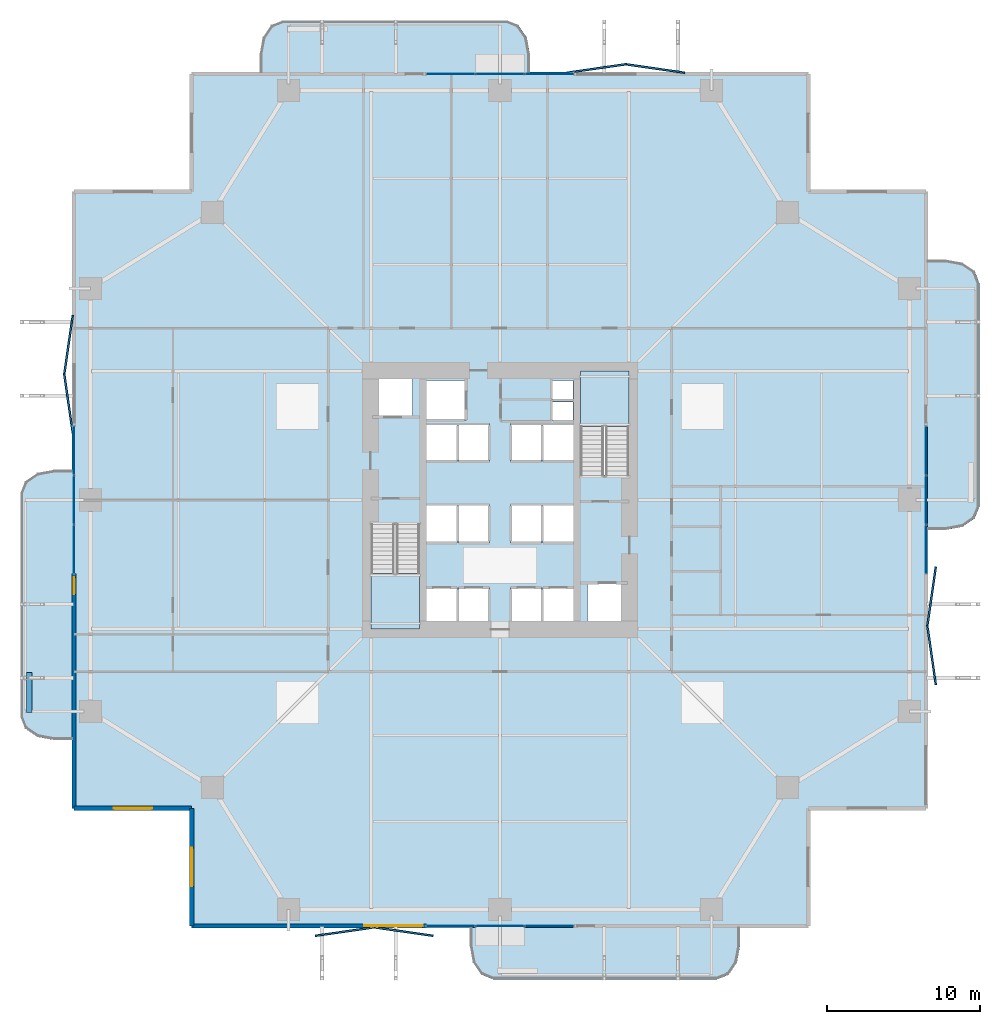
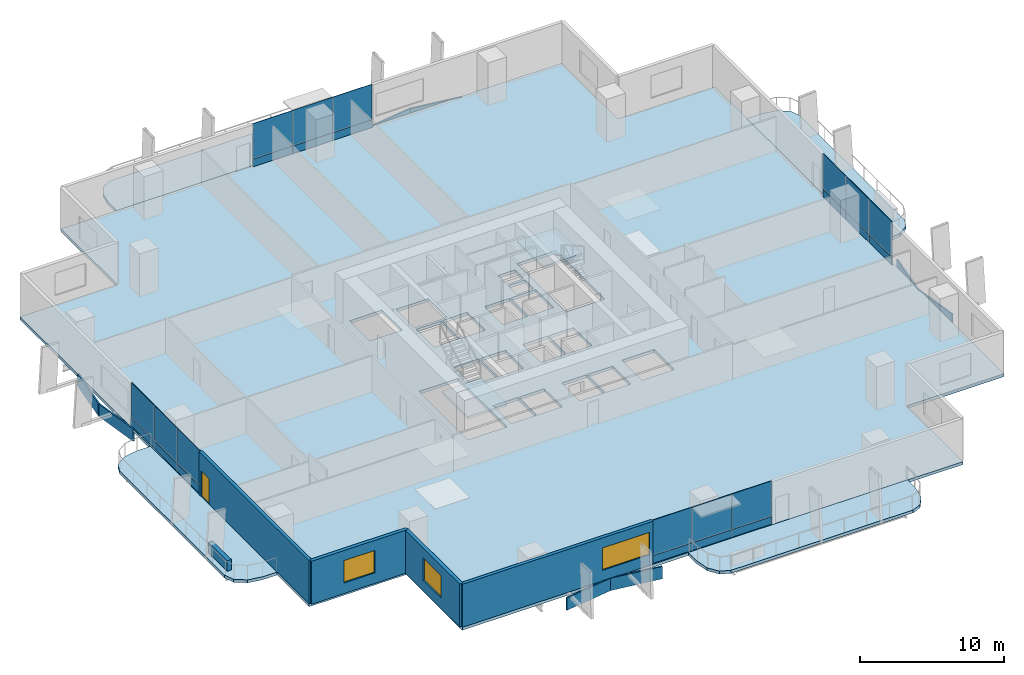
# One storey, part 16 of 24: 32 plates, 7 slabs, 5 walls, 3 windows, 1 door, 4 openings, 6 elements without a shape of their own.
"""IFC4 building model written with IfcOpenShell, lengths in metres."""

from ifc_helpers import new_model, si_unit, direction, frame, frame_2d, origin, origin_2d, place, context, subcontext, project, spatial, polyline, rectangle, outline, extrude, material, layer, layer_set, type_object, element, fill, aggregate, save


model = new_model("IFC4")

# Units and contexts
model_context = context("Model", 3, precision=1e-05, world=origin(), true_north=direction((0.0, 1.0)))
body_context = subcontext(model_context, "Body", "Model", "MODEL_VIEW")
ifc_project = project(units=[si_unit("LENGTHUNIT", "METRE"), si_unit("AREAUNIT", "SQUARE_METRE"), si_unit("VOLUMEUNIT", "CUBIC_METRE"), si_unit("PLANEANGLEUNIT", "RADIAN"), si_unit("MASSUNIT", "GRAM", prefix="KILO")], contexts=[model_context])

# Site, building, storey
site_placement = place(None, origin())
site = spatial("IfcSite", under=ifc_project, at=site_placement, CompositionType="ELEMENT")
building_placement = place(site_placement, origin())
building = spatial("IfcBuilding", under=site, at=building_placement, Name="Belovzor Exchange Tower", CompositionType="ELEMENT")
storey_placement = place(building_placement, frame((0.0, 0.0, 45.60009765625)))
storey = spatial("IfcBuildingStorey", under=building, at=storey_placement, Name="L10", CompositionType="ELEMENT", Elevation=45.60009765625)

# Slab
ifc_material_1 = material(Name="Concrete C40/50", Category="concrete")
ifc_layer_1 = layer(ifc_material_1, 0.25)
ifc_layer_set_1 = layer_set([ifc_layer_1], Name="Concrete C40/50")
slab_type_1 = type_object("IfcSlabType", Name="Composite Concrete Floor Deck Slab 250", PredefinedType="FLOOR", material=ifc_layer_set_1)
slab_1_placement = place(storey_placement, frame((0.0, 0.0, -0.25)))
element("IfcSlab", 1, at=slab_1_placement, inside=storey, type_object=slab_type_1, Name="SL-F250 Structural Slab L10", PredefinedType="FLOOR", context=body_context, shape_type="SweptSolid", body=[
    extrude(outline(polyline([(8.699951171875, 0.89990234375), (48.89990234375, 0.89990234375), (48.89990234375, 8.699951171875), (56.699951171875, 8.699951171875), (56.699951171875, 48.89990234375), (48.89990234375, 48.89990234375), (48.89990234375, 56.699951171875), (8.699951171875, 56.699951171875), (8.699951171875, 48.89990234375), (0.89990234375, 48.89990234375), (0.89990234375, 8.699951171875), (8.699951171875, 8.699951171875), (8.699951171875, 0.89990234375)]), holes=[polyline([(20.39990234375, 27.175048828125), (20.39990234375, 20.39990234375), (23.550048828125, 20.39990234375), (23.550048828125, 27.175048828125), (20.39990234375, 27.175048828125)]), polyline([(37.199951171875, 30.425048828125), (37.199951171875, 37.199951171875), (34.050048828125, 37.199951171875), (34.050048828125, 30.425048828125), (37.199951171875, 30.425048828125)]), polyline([(20.5, 34.199951171875), (23.10009765625, 34.199951171875), (23.10009765625, 37.0), (20.5, 37.0), (20.5, 34.199951171875)]), polyline([(34.5, 20.60009765625), (37.10009765625, 20.60009765625), (37.10009765625, 23.39990234375), (34.5, 23.39990234375), (34.5, 20.60009765625)]), polyline([(24.0, 34.0), (26.60009765625, 34.0), (26.60009765625, 36.60009765625), (24.0, 36.60009765625), (24.0, 34.0)]), polyline([(24.0, 20.60009765625), (26.0, 20.60009765625), (26.0, 23.10009765625), (24.0, 23.10009765625), (24.0, 20.60009765625)]), polyline([(26.10009765625, 20.60009765625), (28.10009765625, 20.60009765625), (28.10009765625, 23.10009765625), (26.10009765625, 23.10009765625), (26.10009765625, 20.60009765625)]), polyline([(29.5, 20.60009765625), (31.5, 20.60009765625), (31.5, 23.10009765625), (29.5, 23.10009765625), (29.5, 20.60009765625)]), polyline([(31.60009765625, 20.60009765625), (33.60009765625, 20.60009765625), (33.60009765625, 23.10009765625), (31.60009765625, 23.10009765625), (31.60009765625, 20.60009765625)]), polyline([(24.0, 26.0), (26.0, 26.0), (26.0, 28.5), (24.0, 28.5), (24.0, 26.0)]), polyline([(26.10009765625, 26.0), (28.10009765625, 26.0), (28.10009765625, 28.5), (26.10009765625, 28.5), (26.10009765625, 26.0)]), polyline([(29.5, 26.0), (31.5, 26.0), (31.5, 28.5), (29.5, 28.5), (29.5, 26.0)]), polyline([(31.60009765625, 26.0), (33.60009765625, 26.0), (33.60009765625, 28.5), (31.60009765625, 28.5), (31.60009765625, 26.0)]), polyline([(24.0, 31.300048828125), (26.0, 31.300048828125), (26.0, 33.800048828125), (24.0, 33.800048828125), (24.0, 31.300048828125)]), polyline([(26.10009765625, 31.300048828125), (28.10009765625, 31.300048828125), (28.10009765625, 33.800048828125), (26.10009765625, 33.800048828125), (26.10009765625, 31.300048828125)]), polyline([(29.5, 31.300048828125), (31.5, 31.300048828125), (31.5, 33.800048828125), (29.5, 33.800048828125), (29.5, 31.300048828125)]), polyline([(31.60009765625, 31.300048828125), (33.60009765625, 31.300048828125), (33.60009765625, 33.800048828125), (31.60009765625, 33.800048828125), (31.60009765625, 31.300048828125)]), polyline([(32.199951171875, 34.0), (33.550048828125, 34.0), (33.550048828125, 35.199951171875), (32.199951171875, 35.199951171875), (32.199951171875, 34.0)]), polyline([(32.199951171875, 35.39990234375), (33.550048828125, 35.39990234375), (33.550048828125, 36.60009765625), (32.199951171875, 36.60009765625), (32.199951171875, 35.39990234375)])]), origin(), (0.0, 0.0, 1.0), 0.25),
])

# Plates
ifc_material_2 = material(Name="Extruded Architectural Terracotta", Category="masonry")
ifc_layer_2 = layer(ifc_material_2, 0.1201171875)
ifc_layer_set_2 = layer_set([ifc_layer_2], Name="Extruded Architectural Terracotta")
plate_type_1 = type_object("IfcPlateType", Name="Folded Zigzag Terracotta Spandrel Louvre 80", PredefinedType="USERDEFINED", material=ifc_layer_set_2)
for number, where, z_axis, x_axis, name in (
    (2, (18.699951171875, 0.6650390625, -1.03515625), (0.0, 0.0, 1.0), (0.989686419138, 0.143250800258, 0.0), "LVR-ZZ1 Zigzag Terracotta Spandrel Louvre L10 S1A"),
    (3, (22.5, 0.6650390625, -1.03515625), (0.0, 0.0, 1.0), (0.989686419138, -0.143250800258, 0.0), "LVR-ZZ1 Zigzag Terracotta Spandrel Louvre L10 S1B"),
    (4, (56.93505859375, 18.699951171875, -1.03515625), (0.0, 0.0, 1.0), (-0.143250800258, 0.989686419138, 0.0), "LVR-ZZ1 Zigzag Terracotta Spandrel Louvre L10 E1A"),
    (5, (56.93505859375, 22.5, -1.03515625), (0.0, 0.0, 1.0), (0.143250800258, 0.989686419138, 0.0), "LVR-ZZ1 Zigzag Terracotta Spandrel Louvre L10 E1B"),
    (6, (35.10009765625, 56.93505859375, -1.03515625), (0.0, 0.0, 1.0), (0.989686419138, 0.143250800258, 0.0), "LVR-ZZ1 Zigzag Terracotta Spandrel Louvre L10 N2A"),
    (7, (38.89990234375, 56.93505859375, -1.03515625), (0.0, 0.0, 1.0), (0.989686419138, -0.143250800258, 0.0), "LVR-ZZ1 Zigzag Terracotta Spandrel Louvre L10 N2B"),
    (8, (0.6650390625, 35.10009765625, -1.03515625), (0.0, 0.0, 1.0), (-0.143250800258, 0.989686419138, 0.0), "LVR-ZZ1 Zigzag Terracotta Spandrel Louvre L10 W2A"),
    (9, (0.6650390625, 38.89990234375, -1.03515625), (0.0, 0.0, 1.0), (0.143250800258, 0.989686419138, 0.0), "LVR-ZZ1 Zigzag Terracotta Spandrel Louvre L10 W2B"),
):
    element("IfcPlate", number, at=place(storey_placement, frame(where, z_axis=z_axis, x_axis=x_axis)), inside=storey, type_object=plate_type_1, Name=name, ObjectType="SPANDREL_LOUVRE", PredefinedType="USERDEFINED", context=body_context, shape_type="SweptSolid", body=[
        extrude(rectangle(XDim=3.919921875, YDim=0.1201171875, at=origin_2d()), origin(), (0.0, 0.0, 1.0), 1.050048828125),
    ])

# Curtain wall, plates
ifc_material_3 = material(Name="Anodised Aluminium Framing", Category="aluminium")
ifc_layer_3 = layer(ifc_material_3, 0.179931640625)
ifc_layer_set_3 = layer_set([ifc_layer_3], Name="Anodised Aluminium Framing")
curtain_wall_type = type_object("IfcCurtainWallType", Name="Recessed Loggia Low-Iron Triple-Glazed Curtain Wall", PredefinedType="NOTDEFINED", material=ifc_layer_set_3)
curtain_wall_1_placement = place(storey_placement, origin())
curtain_wall_1 = element("IfcCurtainWall", 10, at=curtain_wall_1_placement, inside=storey, type_object=curtain_wall_type, Name="CW3 Recessed Loggia Low-Iron Triple-Glazed Curtain Wall L10", PredefinedType="NOTDEFINED")
ifc_material_4 = material(Name="Solar-Control Triple Glazing", Category="glass")
ifc_layer_4 = layer(ifc_material_4, 0.0439453125)
ifc_layer_set_4 = layer_set([ifc_layer_4], Name="Solar-Control Triple Glazing")
plate_type_2 = type_object("IfcPlateType", Name="Insulated Solar Glazing Curtain Panel 44", PredefinedType="CURTAIN_PANEL", material=ifc_layer_set_4)
plate_1_placement = place(storey_placement, frame((32.0, 1.030029296875, 0.65185546875), z_axis=(0.0, 0.0, 1.0), x_axis=(-1.0, 0.0, 0.0)))
plate_1 = element("IfcPlate", 11, at=plate_1_placement, type_object=plate_type_2, Name="GLZ-44 Glazed Curtain Panel 1", PredefinedType="CURTAIN_PANEL", context=body_context, shape_type="SweptSolid", body=[
    extrude(rectangle(XDim=3.18408203125, YDim=0.0439453125, at=origin_2d()), origin(), (0.0, 0.0, 1.0), 2.998046875),
])
plate_2_placement = place(storey_placement, frame((28.800048828125, 1.030029296875, 0.65185546875), z_axis=(0.0, 0.0, 1.0), x_axis=(-1.0, 0.0, 0.0)))
plate_2 = element("IfcPlate", 12, at=plate_2_placement, type_object=plate_type_2, Name="GLZ-44 Glazed Curtain Panel 2", PredefinedType="CURTAIN_PANEL", context=body_context, shape_type="SweptSolid", body=[
    extrude(rectangle(XDim=3.18408203125, YDim=0.0439453125, at=origin_2d()), origin(), (0.0, 0.0, 1.0), 2.998046875),
])
plate_3_placement = place(storey_placement, frame((25.60009765625, 1.030029296875, 0.65185546875), z_axis=(0.0, 0.0, 1.0), x_axis=(-1.0, 0.0, 0.0)))
plate_3 = element("IfcPlate", 13, at=plate_3_placement, type_object=plate_type_2, Name="GLZ-44 Glazed Curtain Panel 3", PredefinedType="CURTAIN_PANEL", context=body_context, shape_type="SweptSolid", body=[
    extrude(rectangle(XDim=3.18408203125, YDim=0.0439453125, at=origin_2d()), origin(), (0.0, 0.0, 1.0), 2.998046875),
])

curtain_wall_2_placement = place(storey_placement, origin())
curtain_wall_2 = element("IfcCurtainWall", 14, at=curtain_wall_2_placement, inside=storey, type_object=curtain_wall_type, Name="CW3 Recessed Loggia Low-Iron Triple-Glazed Curtain Wall L10", PredefinedType="NOTDEFINED")
plate_4_placement = place(storey_placement, frame((25.60009765625, 56.570068359375, 0.65185546875), z_axis=(0.0, 0.0, 1.0), x_axis=(1.0, 0.0, 0.0)))
plate_4 = element("IfcPlate", 15, at=plate_4_placement, type_object=plate_type_2, Name="GLZ-44 Glazed Curtain Panel 1", PredefinedType="CURTAIN_PANEL", context=body_context, shape_type="SweptSolid", body=[
    extrude(rectangle(XDim=3.18408203125, YDim=0.0439453125, at=origin_2d()), origin(), (0.0, 0.0, 1.0), 2.998046875),
])
plate_5_placement = place(storey_placement, frame((28.800048828125, 56.570068359375, 0.65185546875), z_axis=(0.0, 0.0, 1.0), x_axis=(1.0, 0.0, 0.0)))
plate_5 = element("IfcPlate", 16, at=plate_5_placement, type_object=plate_type_2, Name="GLZ-44 Glazed Curtain Panel 2", PredefinedType="CURTAIN_PANEL", context=body_context, shape_type="SweptSolid", body=[
    extrude(rectangle(XDim=3.18408203125, YDim=0.0439453125, at=origin_2d()), origin(), (0.0, 0.0, 1.0), 2.998046875),
])
plate_6_placement = place(storey_placement, frame((32.0, 56.570068359375, 0.65185546875), z_axis=(0.0, 0.0, 1.0), x_axis=(1.0, 0.0, 0.0)))
plate_6 = element("IfcPlate", 17, at=plate_6_placement, type_object=plate_type_2, Name="GLZ-44 Glazed Curtain Panel 3", PredefinedType="CURTAIN_PANEL", context=body_context, shape_type="SweptSolid", body=[
    extrude(rectangle(XDim=3.18408203125, YDim=0.0439453125, at=origin_2d()), origin(), (0.0, 0.0, 1.0), 2.998046875),
])

curtain_wall_3_placement = place(storey_placement, origin())
curtain_wall_3 = element("IfcCurtainWall", 18, at=curtain_wall_3_placement, inside=storey, type_object=curtain_wall_type, Name="CW3 Recessed Loggia Low-Iron Triple-Glazed Curtain Wall L10", PredefinedType="NOTDEFINED")
plate_7_placement = place(storey_placement, frame((1.030029296875, 25.60009765625, 0.65185546875), z_axis=(0.0, 0.0, 1.0), x_axis=(0.0, 1.0, 0.0)))
plate_7 = element("IfcPlate", 19, at=plate_7_placement, type_object=plate_type_2, Name="GLZ-44 Glazed Curtain Panel 1", PredefinedType="CURTAIN_PANEL", context=body_context, shape_type="SweptSolid", body=[
    extrude(rectangle(XDim=3.18408203125, YDim=0.0439453125, at=origin_2d()), origin(), (0.0, 0.0, 1.0), 2.998046875),
])
plate_8_placement = place(storey_placement, frame((1.030029296875, 28.800048828125, 0.65185546875), z_axis=(0.0, 0.0, 1.0), x_axis=(0.0, 1.0, 0.0)))
plate_8 = element("IfcPlate", 20, at=plate_8_placement, type_object=plate_type_2, Name="GLZ-44 Glazed Curtain Panel 2", PredefinedType="CURTAIN_PANEL", context=body_context, shape_type="SweptSolid", body=[
    extrude(rectangle(XDim=3.18408203125, YDim=0.0439453125, at=origin_2d()), origin(), (0.0, 0.0, 1.0), 2.998046875),
])
plate_9_placement = place(storey_placement, frame((1.030029296875, 32.0, 0.65185546875), z_axis=(0.0, 0.0, 1.0), x_axis=(0.0, 1.0, 0.0)))
plate_9 = element("IfcPlate", 21, at=plate_9_placement, type_object=plate_type_2, Name="GLZ-44 Glazed Curtain Panel 3", PredefinedType="CURTAIN_PANEL", context=body_context, shape_type="SweptSolid", body=[
    extrude(rectangle(XDim=3.18408203125, YDim=0.0439453125, at=origin_2d()), origin(), (0.0, 0.0, 1.0), 2.998046875),
])

curtain_wall_4_placement = place(storey_placement, origin())
curtain_wall_4 = element("IfcCurtainWall", 22, at=curtain_wall_4_placement, inside=storey, type_object=curtain_wall_type, Name="CW3 Recessed Loggia Low-Iron Triple-Glazed Curtain Wall L10", PredefinedType="NOTDEFINED")
plate_10_placement = place(storey_placement, frame((56.570068359375, 32.0, 0.65185546875), z_axis=(0.0, 0.0, 1.0), x_axis=(0.0, -1.0, 0.0)))
plate_10 = element("IfcPlate", 23, at=plate_10_placement, type_object=plate_type_2, Name="GLZ-44 Glazed Curtain Panel 1", PredefinedType="CURTAIN_PANEL", context=body_context, shape_type="SweptSolid", body=[
    extrude(rectangle(XDim=3.18408203125, YDim=0.0439453125, at=origin_2d()), origin(), (0.0, 0.0, 1.0), 2.998046875),
])
plate_11_placement = place(storey_placement, frame((56.570068359375, 28.800048828125, 0.65185546875), z_axis=(0.0, 0.0, 1.0), x_axis=(0.0, -1.0, 0.0)))
plate_11 = element("IfcPlate", 24, at=plate_11_placement, type_object=plate_type_2, Name="GLZ-44 Glazed Curtain Panel 2", PredefinedType="CURTAIN_PANEL", context=body_context, shape_type="SweptSolid", body=[
    extrude(rectangle(XDim=3.18408203125, YDim=0.0439453125, at=origin_2d()), origin(), (0.0, 0.0, 1.0), 2.998046875),
])
plate_12_placement = place(storey_placement, frame((56.570068359375, 25.60009765625, 0.65185546875), z_axis=(0.0, 0.0, 1.0), x_axis=(0.0, -1.0, 0.0)))
plate_12 = element("IfcPlate", 25, at=plate_12_placement, type_object=plate_type_2, Name="GLZ-44 Glazed Curtain Panel 3", PredefinedType="CURTAIN_PANEL", context=body_context, shape_type="SweptSolid", body=[
    extrude(rectangle(XDim=3.18408203125, YDim=0.0439453125, at=origin_2d()), origin(), (0.0, 0.0, 1.0), 2.998046875),
])

# Stair, slab
ifc_material_5 = material(Name="Concrete C40/50", Category="concrete")
stair_type = type_object("IfcStairType", Name="Reinforced Concrete Dogleg Escape Stair 1350", PredefinedType="HALF_TURN_STAIR", material=ifc_material_5)
stair_1_placement = place(storey_placement, origin())
stair_1 = element("IfcStair", 26, at=stair_1_placement, inside=storey, type_object=stair_type, Name="L10 ST-1", PredefinedType="HALF_TURN_STAIR")
ifc_material_6 = material(Name="Concrete C40/50", Category="concrete")
ifc_layer_5 = layer(ifc_material_6, 0.199951171875)
ifc_layer_set_5 = layer_set([ifc_layer_5], Name="Concrete C40/50")
slab_type_2 = type_object("IfcSlabType", Name="Reinforced Concrete Stair Half-Landing Slab 200", PredefinedType="LANDING", material=ifc_layer_set_5)
slab_2_placement = place(storey_placement, frame((0.0, 0.0, 1.75)))
slab_2 = element("IfcSlab", 27, at=slab_2_placement, type_object=slab_type_2, Name="ST-1 landing 1", PredefinedType="LANDING", context=body_context, shape_type="SweptSolid", body=[
    extrude(outline(polyline([(20.39990234375, 24.010009765625), (20.39990234375, 20.39990234375), (23.550048828125, 20.39990234375), (23.550048828125, 24.010009765625), (20.39990234375, 24.010009765625)])), origin(), (0.0, 0.0, 1.0), 0.199951171875),
])
aggregate(stair_1, [slab_2])

stair_2_placement = place(storey_placement, origin())
stair_2 = element("IfcStair", 28, at=stair_2_placement, inside=storey, type_object=stair_type, Name="L10 ST-2", PredefinedType="HALF_TURN_STAIR")
slab_3_placement = place(storey_placement, frame((0.0, 0.0, 1.75)))
slab_3 = element("IfcSlab", 29, at=slab_3_placement, type_object=slab_type_2, Name="ST-2 landing 1", PredefinedType="LANDING", context=body_context, shape_type="SweptSolid", body=[
    extrude(outline(polyline([(37.199951171875, 33.590087890625), (37.199951171875, 37.199951171875), (34.050048828125, 37.199951171875), (34.050048828125, 33.590087890625), (37.199951171875, 33.590087890625)])), origin(), (0.0, 0.0, 1.0), 0.199951171875),
])
aggregate(stair_2, [slab_3])

# Plate
ifc_material_7 = material(Name="Extruded Architectural Terracotta", Category="masonry")
ifc_layer_6 = layer(ifc_material_7, 0.090087890625)
ifc_layer_set_6 = layer_set([ifc_layer_6], Name="Extruded Architectural Terracotta")
plate_type_3 = type_object("IfcPlateType", Name="Terracotta Shadow-Box Spandrel Panel 90", PredefinedType="CURTAIN_PANEL", material=ifc_layer_set_6)
plate_13_placement = place(storey_placement, frame((32.0, 1.030029296875, 0.0), z_axis=(0.0, 0.0, 1.0), x_axis=(-1.0, 0.0, 0.0)))
plate_13 = element("IfcPlate", 30, at=plate_13_placement, type_object=plate_type_3, Name="SPD-90 Spandrel Panel 1", PredefinedType="CURTAIN_PANEL", context=body_context, shape_type="SweptSolid", body=[
    extrude(rectangle(XDim=3.18408203125, YDim=0.090087890625, at=origin_2d()), origin(), (0.0, 0.0, 1.0), 0.64794921875),
])

plate_14_placement = place(storey_placement, frame((28.800048828125, 1.030029296875, 0.0), z_axis=(0.0, 0.0, 1.0), x_axis=(-1.0, 0.0, 0.0)))
plate_14 = element("IfcPlate", 31, at=plate_14_placement, type_object=plate_type_3, Name="SPD-90 Spandrel Panel 2", PredefinedType="CURTAIN_PANEL", context=body_context, shape_type="SweptSolid", body=[
    extrude(rectangle(XDim=3.18408203125, YDim=0.090087890625, at=origin_2d()), origin(), (0.0, 0.0, 1.0), 0.64794921875),
])

plate_15_placement = place(storey_placement, frame((25.60009765625, 1.030029296875, 0.0), z_axis=(0.0, 0.0, 1.0), x_axis=(-1.0, 0.0, 0.0)))
plate_15 = element("IfcPlate", 32, at=plate_15_placement, type_object=plate_type_3, Name="SPD-90 Spandrel Panel 3", PredefinedType="CURTAIN_PANEL", context=body_context, shape_type="SweptSolid", body=[
    extrude(rectangle(XDim=3.18408203125, YDim=0.090087890625, at=origin_2d()), origin(), (0.0, 0.0, 1.0), 0.64794921875),
])

aggregate(curtain_wall_1, [plate_13, plate_1, plate_14, plate_2, plate_15, plate_3])

plate_16_placement = place(storey_placement, frame((25.60009765625, 56.570068359375, 0.0), z_axis=(0.0, 0.0, 1.0), x_axis=(1.0, 0.0, 0.0)))
plate_16 = element("IfcPlate", 33, at=plate_16_placement, type_object=plate_type_3, Name="SPD-90 Spandrel Panel 1", PredefinedType="CURTAIN_PANEL", context=body_context, shape_type="SweptSolid", body=[
    extrude(rectangle(XDim=3.18408203125, YDim=0.090087890625, at=origin_2d()), origin(), (0.0, 0.0, 1.0), 0.64794921875),
])

plate_17_placement = place(storey_placement, frame((28.800048828125, 56.570068359375, 0.0), z_axis=(0.0, 0.0, 1.0), x_axis=(1.0, 0.0, 0.0)))
plate_17 = element("IfcPlate", 34, at=plate_17_placement, type_object=plate_type_3, Name="SPD-90 Spandrel Panel 2", PredefinedType="CURTAIN_PANEL", context=body_context, shape_type="SweptSolid", body=[
    extrude(rectangle(XDim=3.18408203125, YDim=0.090087890625, at=origin_2d()), origin(), (0.0, 0.0, 1.0), 0.64794921875),
])

plate_18_placement = place(storey_placement, frame((32.0, 56.570068359375, 0.0), z_axis=(0.0, 0.0, 1.0), x_axis=(1.0, 0.0, 0.0)))
plate_18 = element("IfcPlate", 35, at=plate_18_placement, type_object=plate_type_3, Name="SPD-90 Spandrel Panel 3", PredefinedType="CURTAIN_PANEL", context=body_context, shape_type="SweptSolid", body=[
    extrude(rectangle(XDim=3.18408203125, YDim=0.090087890625, at=origin_2d()), origin(), (0.0, 0.0, 1.0), 0.64794921875),
])

aggregate(curtain_wall_2, [plate_16, plate_4, plate_17, plate_5, plate_18, plate_6])

plate_19_placement = place(storey_placement, frame((1.030029296875, 25.60009765625, 0.0), z_axis=(0.0, 0.0, 1.0), x_axis=(0.0, 1.0, 0.0)))
plate_19 = element("IfcPlate", 36, at=plate_19_placement, type_object=plate_type_3, Name="SPD-90 Spandrel Panel 1", PredefinedType="CURTAIN_PANEL", context=body_context, shape_type="SweptSolid", body=[
    extrude(rectangle(XDim=3.18408203125, YDim=0.090087890625, at=origin_2d()), origin(), (0.0, 0.0, 1.0), 0.64794921875),
])

plate_20_placement = place(storey_placement, frame((1.030029296875, 28.800048828125, 0.0), z_axis=(0.0, 0.0, 1.0), x_axis=(0.0, 1.0, 0.0)))
plate_20 = element("IfcPlate", 37, at=plate_20_placement, type_object=plate_type_3, Name="SPD-90 Spandrel Panel 2", PredefinedType="CURTAIN_PANEL", context=body_context, shape_type="SweptSolid", body=[
    extrude(rectangle(XDim=3.18408203125, YDim=0.090087890625, at=origin_2d()), origin(), (0.0, 0.0, 1.0), 0.64794921875),
])

plate_21_placement = place(storey_placement, frame((1.030029296875, 32.0, 0.0), z_axis=(0.0, 0.0, 1.0), x_axis=(0.0, 1.0, 0.0)))
plate_21 = element("IfcPlate", 38, at=plate_21_placement, type_object=plate_type_3, Name="SPD-90 Spandrel Panel 3", PredefinedType="CURTAIN_PANEL", context=body_context, shape_type="SweptSolid", body=[
    extrude(rectangle(XDim=3.18408203125, YDim=0.090087890625, at=origin_2d()), origin(), (0.0, 0.0, 1.0), 0.64794921875),
])

aggregate(curtain_wall_3, [plate_19, plate_7, plate_20, plate_8, plate_21, plate_9])

plate_22_placement = place(storey_placement, frame((56.570068359375, 32.0, 0.0), z_axis=(0.0, 0.0, 1.0), x_axis=(0.0, -1.0, 0.0)))
plate_22 = element("IfcPlate", 39, at=plate_22_placement, type_object=plate_type_3, Name="SPD-90 Spandrel Panel 1", PredefinedType="CURTAIN_PANEL", context=body_context, shape_type="SweptSolid", body=[
    extrude(rectangle(XDim=3.18408203125, YDim=0.090087890625, at=origin_2d()), origin(), (0.0, 0.0, 1.0), 0.64794921875),
])

plate_23_placement = place(storey_placement, frame((56.570068359375, 28.800048828125, 0.0), z_axis=(0.0, 0.0, 1.0), x_axis=(0.0, -1.0, 0.0)))
plate_23 = element("IfcPlate", 40, at=plate_23_placement, type_object=plate_type_3, Name="SPD-90 Spandrel Panel 2", PredefinedType="CURTAIN_PANEL", context=body_context, shape_type="SweptSolid", body=[
    extrude(rectangle(XDim=3.18408203125, YDim=0.090087890625, at=origin_2d()), origin(), (0.0, 0.0, 1.0), 0.64794921875),
])

plate_24_placement = place(storey_placement, frame((56.570068359375, 25.60009765625, 0.0), z_axis=(0.0, 0.0, 1.0), x_axis=(0.0, -1.0, 0.0)))
plate_24 = element("IfcPlate", 41, at=plate_24_placement, type_object=plate_type_3, Name="SPD-90 Spandrel Panel 3", PredefinedType="CURTAIN_PANEL", context=body_context, shape_type="SweptSolid", body=[
    extrude(rectangle(XDim=3.18408203125, YDim=0.090087890625, at=origin_2d()), origin(), (0.0, 0.0, 1.0), 0.64794921875),
])

aggregate(curtain_wall_4, [plate_22, plate_10, plate_23, plate_11, plate_24, plate_12])

# Slabs
ifc_material_8 = material(Name="Concrete C40/50", Category="concrete")
ifc_layer_7 = layer(ifc_material_8, 0.25)
ifc_layer_set_7 = layer_set([ifc_layer_7], Name="Concrete C40/50")
slab_type_3 = type_object("IfcSlabType", Name="Thermally Broken Planted Balcony Slab 250", PredefinedType="FLOOR", material=ifc_layer_set_7)
slab_4_placement = place(storey_placement, frame((0.0, 0.0, -0.25)))
element("IfcSlab", 42, at=slab_4_placement, inside=storey, type_object=slab_type_3, Name="SL-BAL220 Planted Balcony Loggia L10 South", PredefinedType="FLOOR", context=body_context, shape_type="SweptSolid", body=[
    extrude(outline(polyline([(26.85009765625, 0.9150390625), (26.85009765625, -0.25), (27.051025390625, -1.35009765625), (27.60009765625, -2.155029296875), (28.35009765625, -2.449951171875), (42.949951171875, -2.449951171875), (43.699951171875, -2.155029296875), (44.2490234375, -1.35009765625), (44.449951171875, -0.25), (44.449951171875, 0.9150390625), (26.85009765625, 0.9150390625)])), origin(), (0.0, 0.0, 1.0), 0.25),
])
slab_5_placement = place(storey_placement, frame((0.0, 0.0, -0.25)))
element("IfcSlab", 43, at=slab_5_placement, inside=storey, type_object=slab_type_3, Name="SL-BAL220 Planted Balcony Loggia L10 North", PredefinedType="FLOOR", context=body_context, shape_type="SweptSolid", body=[
    extrude(outline(polyline([(30.75, 56.68505859375), (30.75, 57.85009765625), (30.549072265625, 58.949951171875), (30.0, 59.7548828125), (29.25, 60.050048828125), (14.64990234375, 60.050048828125), (13.89990234375, 59.7548828125), (13.35107421875, 58.949951171875), (13.14990234375, 57.85009765625), (13.14990234375, 56.68505859375), (30.75, 56.68505859375)])), origin(), (0.0, 0.0, 1.0), 0.25),
])
slab_6_placement = place(storey_placement, frame((0.0, 0.0, -0.25)))
element("IfcSlab", 44, at=slab_6_placement, inside=storey, type_object=slab_type_3, Name="SL-BAL220 Planted Balcony Loggia L10 East", PredefinedType="FLOOR", context=body_context, shape_type="SweptSolid", body=[
    extrude(outline(polyline([(56.68505859375, 26.85009765625), (57.85009765625, 26.85009765625), (58.949951171875, 27.051025390625), (59.7548828125, 27.60009765625), (60.050048828125, 28.35009765625), (60.050048828125, 42.949951171875), (59.7548828125, 43.699951171875), (58.949951171875, 44.2490234375), (57.85009765625, 44.449951171875), (56.68505859375, 44.449951171875), (56.68505859375, 26.85009765625)])), origin(), (0.0, 0.0, 1.0), 0.25),
])
slab_7_placement = place(storey_placement, frame((0.0, 0.0, -0.25)))
element("IfcSlab", 45, at=slab_7_placement, inside=storey, type_object=slab_type_3, Name="SL-BAL220 Planted Balcony Loggia L10 West", PredefinedType="FLOOR", context=body_context, shape_type="SweptSolid", body=[
    extrude(outline(polyline([(0.9150390625, 30.75), (-0.25, 30.75), (-1.35009765625, 30.549072265625), (-2.155029296875, 30.0), (-2.449951171875, 29.25), (-2.449951171875, 14.64990234375), (-2.155029296875, 13.89990234375), (-1.35009765625, 13.35107421875), (-0.25, 13.14990234375), (0.9150390625, 13.14990234375), (0.9150390625, 30.75)])), origin(), (0.0, 0.0, 1.0), 0.25),
])

# Wall, opening, window
ifc_material_9 = material(Name="Precast concrete C40/50", Category="concrete")
ifc_layer_8 = layer(ifc_material_9, 0.280029296875)
ifc_layer_set_8 = layer_set([ifc_layer_8], Name="Precast concrete C40/50")
wall_type_1 = type_object("IfcWallType", Name="Precast Concrete Notched Corner Frame Wall 280", PredefinedType="SOLIDWALL", material=ifc_layer_set_8)
wall_1_placement = place(storey_placement, frame((8.699951171875, 1.030029296875, 0.0), z_axis=(0.0, 0.0, 1.0), x_axis=(0.0, 1.0, 0.0)))
wall_1 = element("IfcWall", 46, at=wall_1_placement, inside=storey, type_object=wall_type_1, Name="W-CRN280 Precast Concrete Notched Corner Frame Wall 280 L10", PredefinedType="SOLIDWALL", context=body_context, shape_type="SweptSolid", body=[
    extrude(rectangle(XDim=7.669921875, YDim=0.280029296875, at=frame_2d((3.8349609375, 0.0))), origin(), (0.0, 0.0, 1.0), 3.64990234375),
])
opening_1_placement = place(wall_1_placement, frame((2.5849609375, 0.0, 0.89990234375)))
opening_1 = element("IfcOpeningElement", 47, at=opening_1_placement, cuts=wall_1, Name="Opening WN-CRN250", PredefinedType="OPENING", context=body_context, shape_type="SweptSolid", body=[
    extrude(rectangle(XDim=2.5, YDim=1.89990234375, at=frame_2d((1.25, 0.949951171875))), frame((0.0, 0.14990234375, 0.0), z_axis=(0.0, -1.0, 0.0), x_axis=(1.0, 0.0, 0.0)), (0.0, 0.0, 1.0), 0.300048828125),
])
ifc_material_10 = material(Name="Thermally Broken Aluminium and Triple Glazing", Category="aluminium")
window_type_1 = type_object("IfcWindowType", Name="Streamline Moderne Corner Wrap Ribbon Window 2500x1900", PartitioningType="SINGLE_PANEL", PredefinedType="WINDOW", material=ifc_material_10)
window_1_placement = place(opening_1_placement, origin())
window_1 = element("IfcWindow", 48, at=window_1_placement, inside=storey, type_object=window_type_1, Name="WN-CRN250 Streamline Moderne Corner Wrap Ribbon Window 2500x1900", OverallHeight=1.89990234375, OverallWidth=2.5, PartitioningType="SINGLE_PANEL", PredefinedType="WINDOW", context=body_context, shape_type="SweptSolid", body=[
    extrude(rectangle(XDim=2.5, YDim=1.89990234375, at=frame_2d((1.25, 0.949951171875))), frame((0.0, 0.030029296875, 0.0), z_axis=(0.0, -1.0, 0.0), x_axis=(1.0, 0.0, 0.0)), (0.0, 0.0, 1.0), 0.06005859375),
])
fill(opening_1, window_1)

wall_2_placement = place(storey_placement, frame((8.699951171875, 8.699951171875, 0.0), z_axis=(0.0, 0.0, 1.0), x_axis=(-1.0, 0.0, 0.0)))
wall_2 = element("IfcWall", 49, at=wall_2_placement, inside=storey, type_object=wall_type_1, Name="W-CRN280 Precast Concrete Notched Corner Frame Wall 280 L10", PredefinedType="SOLIDWALL", context=body_context, shape_type="SweptSolid", body=[
    extrude(rectangle(XDim=7.669921875, YDim=0.280029296875, at=frame_2d((3.8349609375, 0.0))), origin(), (0.0, 0.0, 1.0), 3.64990234375),
])
opening_2_placement = place(wall_2_placement, frame((2.5849609375, 0.0, 0.89990234375)))
opening_2 = element("IfcOpeningElement", 50, at=opening_2_placement, cuts=wall_2, Name="Opening WN-CRN250", PredefinedType="OPENING", context=body_context, shape_type="SweptSolid", body=[
    extrude(rectangle(XDim=2.5, YDim=1.89990234375, at=frame_2d((1.25, 0.949951171875))), frame((0.0, 0.14990234375, 0.0), z_axis=(0.0, -1.0, 0.0), x_axis=(1.0, 0.0, 0.0)), (0.0, 0.0, 1.0), 0.300048828125),
])
window_2_placement = place(opening_2_placement, origin())
window_2 = element("IfcWindow", 51, at=window_2_placement, inside=storey, type_object=window_type_1, Name="WN-CRN250 Streamline Moderne Corner Wrap Ribbon Window 2500x1900", OverallHeight=1.89990234375, OverallWidth=2.5, PartitioningType="SINGLE_PANEL", PredefinedType="WINDOW", context=body_context, shape_type="SweptSolid", body=[
    extrude(rectangle(XDim=2.5, YDim=1.89990234375, at=frame_2d((1.25, 0.949951171875))), frame((0.0, 0.030029296875, 0.0), z_axis=(0.0, -1.0, 0.0), x_axis=(1.0, 0.0, 0.0)), (0.0, 0.0, 1.0), 0.06005859375),
])
fill(opening_2, window_2)

ifc_material_11 = material(Name="Precast concrete C40/50", Category="concrete")
ifc_layer_9 = layer(ifc_material_11, 0.260009765625)
ifc_layer_set_9 = layer_set([ifc_layer_9], Name="Precast concrete C40/50")
wall_type_2 = type_object("IfcWallType", Name="Precast Concrete Perimeter Loggia Frame Wall 260", PredefinedType="SOLIDWALL", material=ifc_layer_set_9)
wall_3_placement = place(storey_placement, frame((24.0, 1.030029296875, 0.0), z_axis=(0.0, 0.0, 1.0), x_axis=(-1.0, 0.0, 0.0)))
wall_3 = element("IfcWall", 52, at=wall_3_placement, inside=storey, type_object=wall_type_2, Name="W-EXT260 Precast Concrete Perimeter Loggia Frame Wall 260 L10", PredefinedType="SOLIDWALL", context=body_context, shape_type="SweptSolid", body=[
    extrude(rectangle(XDim=15.300048828125, YDim=0.260009765625, at=frame_2d((7.64990234375, 0.0))), origin(), (0.0, 0.0, 1.0), 3.64990234375),
])
opening_3_placement = place(wall_3_placement, frame((0.25, 0.0, 0.89990234375)))
opening_3 = element("IfcOpeningElement", 53, at=opening_3_placement, cuts=wall_3, Name="Opening WN-RIB380", PredefinedType="OPENING", context=body_context, shape_type="SweptSolid", body=[
    extrude(rectangle(XDim=3.800048828125, YDim=1.89990234375, at=frame_2d((1.89990234375, 0.949951171875))), frame((0.0, 0.139892578125, 0.0), z_axis=(0.0, -1.0, 0.0), x_axis=(1.0, 0.0, 0.0)), (0.0, 0.0, 1.0), 0.280029296875),
])
ifc_material_12 = material(Name="Thermally Broken Aluminium and Triple Glazing", Category="aluminium")
window_type_2 = type_object("IfcWindowType", Name="Streamline Moderne Horizontal Ribbon Window 3800x1900", PartitioningType="SINGLE_PANEL", PredefinedType="WINDOW", material=ifc_material_12)
window_3_placement = place(opening_3_placement, origin())
window_3 = element("IfcWindow", 54, at=window_3_placement, inside=storey, type_object=window_type_2, Name="WN-RIB380 Streamline Moderne Horizontal Ribbon Window 3800x1900", OverallHeight=1.89990234375, OverallWidth=3.800048828125, PartitioningType="SINGLE_PANEL", PredefinedType="WINDOW", context=body_context, shape_type="SweptSolid", body=[
    extrude(rectangle(XDim=3.800048828125, YDim=1.89990234375, at=frame_2d((1.89990234375, 0.949951171875))), frame((0.0, 0.030029296875, 0.0), z_axis=(0.0, -1.0, 0.0), x_axis=(1.0, 0.0, 0.0)), (0.0, 0.0, 1.0), 0.06005859375),
])
fill(opening_3, window_3)

# Wall, opening, door
wall_4_placement = place(storey_placement, frame((1.030029296875, 8.699951171875, 0.0), z_axis=(0.0, 0.0, 1.0), x_axis=(0.0, 1.0, 0.0)))
wall_4 = element("IfcWall", 55, at=wall_4_placement, inside=storey, type_object=wall_type_2, Name="W-EXT260 Precast Concrete Perimeter Loggia Frame Wall 260 L10", PredefinedType="SOLIDWALL", context=body_context, shape_type="SweptSolid", body=[
    extrude(rectangle(XDim=15.300048828125, YDim=0.260009765625, at=frame_2d((7.64990234375, 0.0))), origin(), (0.0, 0.0, 1.0), 3.64990234375),
])
opening_4_placement = place(wall_4_placement, frame((13.949951171875, 0.0, 0.0)))
opening_4 = element("IfcOpeningElement", 56, at=opening_4_placement, cuts=wall_4, Name="Opening D-BAL110", PredefinedType="OPENING", context=body_context, shape_type="SweptSolid", body=[
    extrude(rectangle(XDim=1.10009765625, YDim=2.199951171875, at=frame_2d((0.550048828125, 1.10009765625))), frame((0.0, 0.139892578125, 0.0), z_axis=(0.0, -1.0, 0.0), x_axis=(1.0, 0.0, 0.0)), (0.0, 0.0, 1.0), 0.280029296875),
])
ifc_material_13 = material(Name="Thermally Broken Anodised Aluminium and Laminated Glass", Category="aluminium")
door_type = type_object("IfcDoorType", Name="Planted Loggia Terrace Glazed Door 1100x2200", OperationType="SINGLE_SWING_LEFT", PredefinedType="DOOR", material=ifc_material_13)
door_placement = place(opening_4_placement, origin())
door = element("IfcDoor", 57, at=door_placement, inside=storey, type_object=door_type, Name="D-BAL110 Balcony Terrace Door L10 W", OperationType="SINGLE_SWING_RIGHT", OverallHeight=2.199951171875, OverallWidth=1.10009765625, PredefinedType="DOOR", context=body_context, shape_type="SweptSolid", body=[
    extrude(rectangle(XDim=1.10009765625, YDim=2.199951171875, at=frame_2d((0.550048828125, 1.10009765625))), frame((0.0, 0.02490234375, 0.0), z_axis=(0.0, -1.0, 0.0), x_axis=(1.0, 0.0, 0.0)), (0.0, 0.0, 1.0), 0.050048828125),
])
fill(opening_4, door)

# Wall
ifc_material_14 = material(Name="Precast concrete C40/50", Category="concrete")
ifc_layer_10 = layer(ifc_material_14, 0.35009765625)
ifc_layer_set_10 = layer_set([ifc_layer_10], Name="Precast concrete C40/50")
wall_type_3 = type_object("IfcWallType", Name="Precast Concrete Structural Tree Planter Trough 350", PredefinedType="PARAPET", material=ifc_layer_set_10)
wall_5_placement = place(storey_placement, frame((-1.89990234375, 14.949951171875, 0.0), z_axis=(0.0, 0.0, 1.0), x_axis=(0.0, 1.0, 0.0)))
element("IfcWall", 58, at=wall_5_placement, inside=storey, type_object=wall_type_3, Name="PT-350 Precast Concrete Structural Tree Planter Trough 350 L10", PredefinedType="PARAPET", context=body_context, shape_type="SweptSolid", body=[
    extrude(rectangle(XDim=2.60009765625, YDim=0.35009765625, at=frame_2d((1.300048828125, 0.0))), origin(), (0.0, 0.0, 1.0), 0.89990234375),
])

save(model, "model.ifc")
